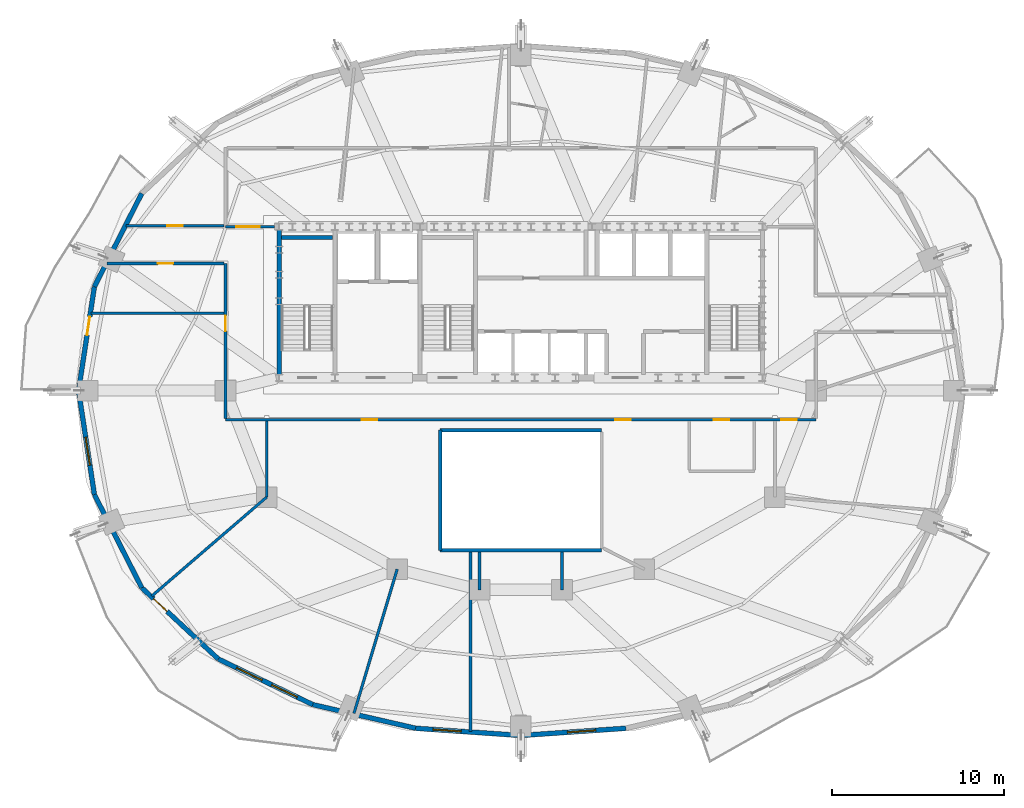
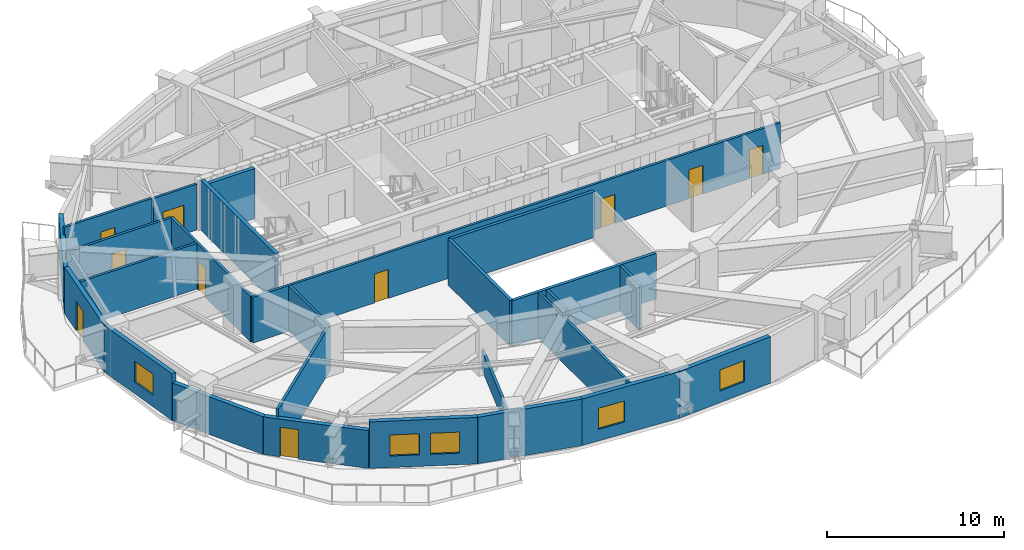
# One storey, part 7 of 14: 26 walls, 10 doors, 5 windows, 15 openings.
"""IFC4 building model written with IfcOpenShell, lengths in metres."""

from ifc_helpers import new_model, si_unit, direction, frame, frame_2d, origin, place, context, subcontext, project, spatial, rectangle, extrude, material, layer, layer_set, type_object, element, fill, save


model = new_model("IFC4")

# Units and contexts
model_context = context("Model", 3, precision=1e-05, world=origin(), true_north=direction((0.0, 1.0)))
body_context = subcontext(model_context, "Body", "Model", "MODEL_VIEW")
ifc_project = project(units=[si_unit("LENGTHUNIT", "METRE"), si_unit("AREAUNIT", "SQUARE_METRE"), si_unit("VOLUMEUNIT", "CUBIC_METRE"), si_unit("PLANEANGLEUNIT", "RADIAN"), si_unit("MASSUNIT", "GRAM", prefix="KILO")], contexts=[model_context])

# Site, building, storey
site_placement = place(None, origin())
site = spatial("IfcSite", under=ifc_project, at=site_placement, CompositionType="ELEMENT")
building_placement = place(site_placement, origin())
building = spatial("IfcBuilding", under=site, at=building_placement, Name="Haldorwick Loom Tower", CompositionType="ELEMENT")
storey_placement = place(building_placement, frame((0.0, 0.0, 182.050048828125)))
storey = spatial("IfcBuildingStorey", under=building, at=storey_placement, Name="L49", CompositionType="ELEMENT", Elevation=182.050048828125)

# Wall
ifc_material_1 = material(Name="Pressed Clay Face Brick and Insulated Masonry Backup Assembly", Category="masonry")
ifc_layer_1 = layer(ifc_material_1, 0.280029296875, Name="Pressed Clay Face Brick and Insulated Masonry Backup Assembly", Category="masonry")
ifc_layer_set_1 = layer_set([ifc_layer_1], Name="Pressed Clay Face Brick and Insulated Masonry Backup Assembly")
wall_type_1 = type_object("IfcWallType", Name="ARC-WL-EXT280", PredefinedType="STANDARD", material=ifc_layer_set_1)
wall_1_placement = place(storey_placement, frame((13.92333984375, 37.481201171875, 0.0), z_axis=(0.0, 0.0, 1.0), x_axis=(-0.453172129629, -0.89142303141, 0.0)))
element("IfcWall", 1, at=wall_1_placement, inside=storey, type_object=wall_type_1, Name="L49 Brick Pier and Spandrel Wall 11", PredefinedType="STANDARD", context=body_context, shape_type="SweptSolid", body=[
    extrude(rectangle(XDim=6.086669921875, YDim=0.280029296875, at=frame_2d((3.04345703125, 0.0))), origin(), (0.0, 0.0, 1.0), 2.600830078125),
])

# Wall, opening, door
wall_2_placement = place(storey_placement, frame((11.1650390625, 32.055419921875, 0.0), z_axis=(0.0, 0.0, 1.0), x_axis=(-0.150544467684, -0.988603238539, 0.0)))
wall_2 = element("IfcWall", 2, at=wall_2_placement, inside=storey, type_object=wall_type_1, Name="L49 Brick Pier and Spandrel Wall 12", PredefinedType="STANDARD", context=body_context, shape_type="SweptSolid", body=[
    extrude(rectangle(XDim=6.125244140625, YDim=0.280029296875, at=frame_2d((3.0625, 0.0))), origin(), (0.0, 0.0, 1.0), 3.2099609375),
])
opening_1_placement = place(wall_2_placement, frame((1.775146484375, 0.0, 0.0)))
opening_1 = element("IfcOpeningElement", 3, at=opening_1_placement, cuts=wall_2, Name="Opening D-BL11", PredefinedType="OPENING", context=body_context, shape_type="SweptSolid", body=[
    extrude(rectangle(XDim=1.080078125, YDim=2.0400390625, at=frame_2d((0.5400390625, 1.02001953125))), frame((0.0, 0.14990234375, 0.0), z_axis=(0.0, -1.0, 0.0), x_axis=(1.0, 0.0, 0.0)), (0.0, 0.0, 1.0), 0.300048828125),
])
ifc_material_2 = material(Name="Thermally Broken Anodized Aluminium Curtain Wall Framing", Category="aluminium")
door_type_1 = type_object("IfcDoorType", Name="ARC-DR-BAL110", OperationType="NOTDEFINED", PredefinedType="DOOR", material=ifc_material_2)
door_1_placement = place(opening_1_placement, origin())
door_1 = element("IfcDoor", 4, at=door_1_placement, inside=storey, type_object=door_type_1, Name="L49 Outdoor Terrace Door SLB-L49-BAL_WNW", OperationType="SINGLE_SWING_LEFT", OverallHeight=2.0400390625, OverallWidth=1.080078125, PredefinedType="DOOR", context=body_context, shape_type="SweptSolid", body=[
    extrude(rectangle(XDim=1.080078125, YDim=2.0400390625, at=frame_2d((0.5400390625, 1.02001953125))), frame((0.0, 0.02490234375, 0.0), z_axis=(0.0, -1.0, 0.0), x_axis=(1.0, 0.0, 0.0)), (0.0, 0.0, 1.0), 0.050048828125),
])
fill(opening_1, door_1)

# Wall, opening, window
wall_3_placement = place(storey_placement, frame((10.242919921875, 26.0, 0.0), z_axis=(0.0, 0.0, 1.0), x_axis=(0.150544467684, -0.988603238539, 0.0)))
wall_3 = element("IfcWall", 5, at=wall_3_placement, inside=storey, type_object=wall_type_1, Name="L49 Brick Pier and Spandrel Wall 13", PredefinedType="STANDARD", context=body_context, shape_type="SweptSolid", body=[
    extrude(rectangle(XDim=6.125244140625, YDim=0.280029296875, at=frame_2d((3.0625, 0.0))), origin(), (0.0, 0.0, 1.0), 3.2099609375),
])
opening_2_placement = place(wall_3_placement, frame((2.749755859375, 0.0, 0.800048828125)))
opening_2 = element("IfcOpeningElement", 6, at=opening_2_placement, cuts=wall_3, Name="Opening W-01B", PredefinedType="OPENING", context=body_context, shape_type="SweptSolid", body=[
    extrude(rectangle(XDim=1.64990234375, YDim=1.449951171875, at=frame_2d((0.824951171875, 0.72509765625))), frame((0.0, 0.14990234375, 0.0), z_axis=(0.0, -1.0, 0.0), x_axis=(1.0, 0.0, 0.0)), (0.0, 0.0, 1.0), 0.300048828125),
])
ifc_material_3 = material(Name="Triple-Glazed Low-E Argon Insulated Glazing Unit", Category="glass")
window_type = type_object("IfcWindowType", Name="ARC-WIN-W165", PartitioningType="SINGLE_PANEL", PredefinedType="WINDOW", material=ifc_material_3)
window_1_placement = place(opening_2_placement, origin())
window_1 = element("IfcWindow", 7, at=window_1_placement, inside=storey, type_object=window_type, Name="L49 Deep-Set Zone 7A Window 13", OverallHeight=1.449951171875, OverallWidth=1.64990234375, PartitioningType="SINGLE_PANEL", PredefinedType="WINDOW", context=body_context, shape_type="SweptSolid", body=[
    extrude(rectangle(XDim=1.64990234375, YDim=1.449951171875, at=frame_2d((0.824951171875, 0.72509765625))), frame((0.0, 0.030029296875, 0.0), z_axis=(0.0, -1.0, 0.0), x_axis=(1.0, 0.0, 0.0)), (0.0, 0.0, 1.0), 0.06005859375),
])
fill(opening_2, window_1)

# Wall
wall_4_placement = place(storey_placement, frame((11.1650390625, 19.944580078125, 0.0), z_axis=(0.0, 0.0, 1.0), x_axis=(0.453172129629, -0.89142303141, 0.0)))
element("IfcWall", 8, at=wall_4_placement, inside=storey, type_object=wall_type_1, Name="L49 Brick Pier and Spandrel Wall 14", PredefinedType="STANDARD", context=body_context, shape_type="SweptSolid", body=[
    extrude(rectangle(XDim=6.086669921875, YDim=0.280029296875, at=frame_2d((3.04345703125, 0.0))), origin(), (0.0, 0.0, 1.0), 2.600830078125),
])

# Wall, opening, door
wall_5_placement = place(storey_placement, frame((13.92333984375, 14.518798828125, 0.0), z_axis=(0.0, 0.0, 1.0), x_axis=(0.732001571644, -0.681302942244, 0.0)))
wall_5 = element("IfcWall", 9, at=wall_5_placement, inside=storey, type_object=wall_type_1, Name="L49 Brick Pier and Spandrel Wall 15", PredefinedType="STANDARD", context=body_context, shape_type="SweptSolid", body=[
    extrude(rectangle(XDim=6.0869140625, YDim=0.280029296875, at=frame_2d((3.04345703125, 0.0))), origin(), (0.0, 0.0, 1.0), 2.600830078125),
])
opening_3_placement = place(wall_5_placement, frame((0.94091796875, 0.0, 0.0)))
opening_3 = element("IfcOpeningElement", 10, at=opening_3_placement, cuts=wall_5, Name="Opening D-BL11", PredefinedType="OPENING", context=body_context, shape_type="SweptSolid", body=[
    extrude(rectangle(XDim=1.080078125, YDim=2.0400390625, at=frame_2d((0.5400390625, 1.02001953125))), frame((0.0, 0.14990234375, 0.0), z_axis=(0.0, -1.0, 0.0), x_axis=(1.0, 0.0, 0.0)), (0.0, 0.0, 1.0), 0.300048828125),
])
door_2_placement = place(opening_3_placement, origin())
door_2 = element("IfcDoor", 11, at=door_2_placement, inside=storey, type_object=door_type_1, Name="L49 Outdoor Terrace Door SLB-L49-BAL_SW", OperationType="SINGLE_SWING_LEFT", OverallHeight=2.0400390625, OverallWidth=1.080078125, PredefinedType="DOOR", context=body_context, shape_type="SweptSolid", body=[
    extrude(rectangle(XDim=1.080078125, YDim=2.0400390625, at=frame_2d((0.5400390625, 1.02001953125))), frame((0.0, 0.02490234375, 0.0), z_axis=(0.0, -1.0, 0.0), x_axis=(1.0, 0.0, 0.0)), (0.0, 0.0, 1.0), 0.050048828125),
])
fill(opening_3, door_2)

# Wall, openings, windows
wall_6_placement = place(storey_placement, frame((18.37890625, 10.371826171875, 0.0), z_axis=(0.0, 0.0, 1.0), x_axis=(0.900472429216, -0.43491309962, 0.0)))
wall_6 = element("IfcWall", 12, at=wall_6_placement, inside=storey, type_object=wall_type_1, Name="L49 Brick Pier and Spandrel Wall 16", PredefinedType="STANDARD", context=body_context, shape_type="SweptSolid", body=[
    extrude(rectangle(XDim=6.1181640625, YDim=0.280029296875, at=frame_2d((3.05908203125, 0.0))), origin(), (0.0, 0.0, 1.0), 3.2099609375),
])
opening_4_placement = place(wall_6_placement, frame((1.181884765625, 0.0, 0.800048828125)))
opening_4 = element("IfcOpeningElement", 13, at=opening_4_placement, cuts=wall_6, Name="Opening W-01B", PredefinedType="OPENING", context=body_context, shape_type="SweptSolid", body=[
    extrude(rectangle(XDim=1.64990234375, YDim=1.449951171875, at=frame_2d((0.824951171875, 0.72509765625))), frame((0.0, 0.14990234375, 0.0), z_axis=(0.0, -1.0, 0.0), x_axis=(1.0, 0.0, 0.0)), (0.0, 0.0, 1.0), 0.300048828125),
])
opening_5_placement = place(wall_6_placement, frame((3.4580078125, 0.0, 0.800048828125)))
opening_5 = element("IfcOpeningElement", 14, at=opening_5_placement, cuts=wall_6, Name="Opening W-01B", PredefinedType="OPENING", context=body_context, shape_type="SweptSolid", body=[
    extrude(rectangle(XDim=1.64990234375, YDim=1.449951171875, at=frame_2d((0.824951171875, 0.72509765625))), frame((0.0, 0.14990234375, 0.0), z_axis=(0.0, -1.0, 0.0), x_axis=(1.0, 0.0, 0.0)), (0.0, 0.0, 1.0), 0.300048828125),
])
window_2_placement = place(opening_4_placement, origin())
window_2 = element("IfcWindow", 15, at=window_2_placement, inside=storey, type_object=window_type, Name="L49 Deep-Set Zone 7A Window 16", OverallHeight=1.449951171875, OverallWidth=1.64990234375, PartitioningType="SINGLE_PANEL", PredefinedType="WINDOW", context=body_context, shape_type="SweptSolid", body=[
    extrude(rectangle(XDim=1.64990234375, YDim=1.449951171875, at=frame_2d((0.824951171875, 0.72509765625))), frame((0.0, 0.030029296875, 0.0), z_axis=(0.0, -1.0, 0.0), x_axis=(1.0, 0.0, 0.0)), (0.0, 0.0, 1.0), 0.06005859375),
])
fill(opening_4, window_2)
window_3_placement = place(opening_5_placement, origin())
window_3 = element("IfcWindow", 16, at=window_3_placement, inside=storey, type_object=window_type, Name="L49 Deep-Set Zone 7A Window 16", OverallHeight=1.449951171875, OverallWidth=1.64990234375, PartitioningType="SINGLE_PANEL", PredefinedType="WINDOW", context=body_context, shape_type="SweptSolid", body=[
    extrude(rectangle(XDim=1.64990234375, YDim=1.449951171875, at=frame_2d((0.824951171875, 0.72509765625))), frame((0.0, 0.030029296875, 0.0), z_axis=(0.0, -1.0, 0.0), x_axis=(1.0, 0.0, 0.0)), (0.0, 0.0, 1.0), 0.06005859375),
])
fill(opening_5, window_3)

# Wall
wall_7_placement = place(storey_placement, frame((23.88818359375, 7.7109375, 0.0), z_axis=(0.0, 0.0, 1.0), x_axis=(0.974593223547, -0.223982250674, 0.0)))
element("IfcWall", 17, at=wall_7_placement, inside=storey, type_object=wall_type_1, Name="L49 Brick Pier and Spandrel Wall 17", PredefinedType="STANDARD", context=body_context, shape_type="SweptSolid", body=[
    extrude(rectangle(XDim=6.138916015625, YDim=0.280029296875, at=frame_2d((3.0693359375, 0.0))), origin(), (0.0, 0.0, 1.0), 3.2099609375),
])

# Wall, opening, window
wall_8_placement = place(storey_placement, frame((29.87109375, 6.3359375, 0.0), z_axis=(0.0, 0.0, 1.0), x_axis=(0.997652942988, -0.068473391522, 0.0)))
wall_8 = element("IfcWall", 18, at=wall_8_placement, inside=storey, type_object=wall_type_1, Name="L49 Brick Pier and Spandrel Wall 18", PredefinedType="STANDARD", context=body_context, shape_type="SweptSolid", body=[
    extrude(rectangle(XDim=6.143310546875, YDim=0.280029296875, at=frame_2d((3.07177734375, 0.0))), origin(), (0.0, 0.0, 1.0), 3.2099609375),
])
opening_6_placement = place(wall_8_placement, frame((1.01806640625, 0.0, 0.800048828125)))
opening_6 = element("IfcOpeningElement", 19, at=opening_6_placement, cuts=wall_8, Name="Opening W-01B", PredefinedType="OPENING", context=body_context, shape_type="SweptSolid", body=[
    extrude(rectangle(XDim=1.64990234375, YDim=1.449951171875, at=frame_2d((0.824951171875, 0.72509765625))), frame((0.0, 0.14990234375, 0.0), z_axis=(0.0, -1.0, 0.0), x_axis=(1.0, 0.0, 0.0)), (0.0, 0.0, 1.0), 0.300048828125),
])
window_4_placement = place(opening_6_placement, origin())
window_4 = element("IfcWindow", 20, at=window_4_placement, inside=storey, type_object=window_type, Name="L49 Deep-Set Zone 7A Window 18", OverallHeight=1.449951171875, OverallWidth=1.64990234375, PartitioningType="SINGLE_PANEL", PredefinedType="WINDOW", context=body_context, shape_type="SweptSolid", body=[
    extrude(rectangle(XDim=1.64990234375, YDim=1.449951171875, at=frame_2d((0.824951171875, 0.72509765625))), frame((0.0, 0.030029296875, 0.0), z_axis=(0.0, -1.0, 0.0), x_axis=(1.0, 0.0, 0.0)), (0.0, 0.0, 1.0), 0.06005859375),
])
fill(opening_6, window_4)

wall_9_placement = place(storey_placement, frame((36.0, 5.915283203125, 0.0), z_axis=(0.0, 0.0, 1.0), x_axis=(0.997652942988, 0.068473391522, 0.0)))
wall_9 = element("IfcWall", 21, at=wall_9_placement, inside=storey, type_object=wall_type_1, Name="L49 Brick Pier and Spandrel Wall 19", PredefinedType="STANDARD", context=body_context, shape_type="SweptSolid", body=[
    extrude(rectangle(XDim=6.143310546875, YDim=0.280029296875, at=frame_2d((3.07177734375, 0.0))), origin(), (0.0, 0.0, 1.0), 3.2099609375),
])
opening_7_placement = place(wall_9_placement, frame((2.723388671875, 0.0, 0.800048828125)))
opening_7 = element("IfcOpeningElement", 22, at=opening_7_placement, cuts=wall_9, Name="Opening W-01B", PredefinedType="OPENING", context=body_context, shape_type="SweptSolid", body=[
    extrude(rectangle(XDim=1.64990234375, YDim=1.449951171875, at=frame_2d((0.824951171875, 0.72509765625))), frame((0.0, 0.14990234375, 0.0), z_axis=(0.0, -1.0, 0.0), x_axis=(1.0, 0.0, 0.0)), (0.0, 0.0, 1.0), 0.300048828125),
])
window_5_placement = place(opening_7_placement, origin())
window_5 = element("IfcWindow", 23, at=window_5_placement, inside=storey, type_object=window_type, Name="L49 Deep-Set Zone 7A Window 19", OverallHeight=1.449951171875, OverallWidth=1.64990234375, PartitioningType="SINGLE_PANEL", PredefinedType="WINDOW", context=body_context, shape_type="SweptSolid", body=[
    extrude(rectangle(XDim=1.64990234375, YDim=1.449951171875, at=frame_2d((0.824951171875, 0.72509765625))), frame((0.0, 0.030029296875, 0.0), z_axis=(0.0, -1.0, 0.0), x_axis=(1.0, 0.0, 0.0)), (0.0, 0.0, 1.0), 0.06005859375),
])
fill(opening_7, window_5)

# Wall, openings, doors
ifc_material_4 = material(Name="Fire-Rated Type X Gypsum Stud Assembly EI 60")
ifc_layer_2 = layer(ifc_material_4, 0.159912109375, Name="Fire-Rated Type X Gypsum Stud Assembly EI 60")
ifc_layer_set_2 = layer_set([ifc_layer_2], Name="Fire-Rated Type X Gypsum Stud Assembly EI 60")
wall_type_2 = type_object("IfcWallType", Name="ARC-WL-FIRE160", PredefinedType="PARTITIONING", material=ifc_layer_set_2)
wall_10_placement = place(storey_placement, frame((18.800048828125, 24.300048828125, 0.0), z_axis=(0.0, 0.0, 1.0), x_axis=(1.0, 0.0, 0.0)))
wall_10 = element("IfcWall", 24, at=wall_10_placement, inside=storey, type_object=wall_type_2, Name="L49 Residential Fire Partition L49-CR-SP", PredefinedType="PARTITIONING", context=body_context, shape_type="SweptSolid", body=[
    extrude(rectangle(XDim=34.39990234375, YDim=0.159912109375, at=frame_2d((17.199951171875, 0.0))), origin(), (0.0, 0.0, 1.0), 3.155029296875),
])
opening_8_placement = place(wall_10_placement, frame((22.703857421875, 0.0, 0.0)))
opening_8 = element("IfcOpeningElement", 25, at=opening_8_placement, cuts=wall_10, Name="Opening D-FD60A", PredefinedType="OPENING", context=body_context, shape_type="SweptSolid", body=[
    extrude(rectangle(XDim=0.89990234375, YDim=2.0, at=frame_2d((0.449951171875, 1.0))), frame((0.0, 0.08984375, 0.0), z_axis=(0.0, -1.0, 0.0), x_axis=(1.0, 0.0, 0.0)), (0.0, 0.0, 1.0), 0.179931640625),
])
opening_9_placement = place(wall_10_placement, frame((7.929443359375, 0.0, 0.0)))
opening_9 = element("IfcOpeningElement", 26, at=opening_9_placement, cuts=wall_10, Name="Opening D-FD60A", PredefinedType="OPENING", context=body_context, shape_type="SweptSolid", body=[
    extrude(rectangle(XDim=0.89990234375, YDim=2.0, at=frame_2d((0.449951171875, 1.0))), frame((0.0, 0.08984375, 0.0), z_axis=(0.0, -1.0, 0.0), x_axis=(1.0, 0.0, 0.0)), (0.0, 0.0, 1.0), 0.179931640625),
])
opening_10_placement = place(wall_10_placement, frame((28.437255859375, 0.0, 0.0)))
opening_10 = element("IfcOpeningElement", 27, at=opening_10_placement, cuts=wall_10, Name="Opening D-FD60A", PredefinedType="OPENING", context=body_context, shape_type="SweptSolid", body=[
    extrude(rectangle(XDim=0.89990234375, YDim=2.0, at=frame_2d((0.449951171875, 1.0))), frame((0.0, 0.08984375, 0.0), z_axis=(0.0, -1.0, 0.0), x_axis=(1.0, 0.0, 0.0)), (0.0, 0.0, 1.0), 0.179931640625),
])
opening_11_placement = place(wall_10_placement, frame((32.37646484375, 0.0, 0.0)))
opening_11 = element("IfcOpeningElement", 28, at=opening_11_placement, cuts=wall_10, Name="Opening D-FD60A", PredefinedType="OPENING", context=body_context, shape_type="SweptSolid", body=[
    extrude(rectangle(XDim=0.89990234375, YDim=2.0, at=frame_2d((0.449951171875, 1.0))), frame((0.0, 0.08984375, 0.0), z_axis=(0.0, -1.0, 0.0), x_axis=(1.0, 0.0, 0.0)), (0.0, 0.0, 1.0), 0.179931640625),
])
ifc_material_5 = material(Name="Hollow Steel Fire Door Assembly", Category="steel")
door_type_2 = type_object("IfcDoorType", Name="ARC-DR-FD60-90", OperationType="NOTDEFINED", PredefinedType="DOOR", material=ifc_material_5)
door_3_placement = place(opening_8_placement, origin())
door_3 = element("IfcDoor", 29, at=door_3_placement, inside=storey, type_object=door_type_2, Name="L49 L49 Central Residential Corridor to Community Library Hall 1 Door", OperationType="SINGLE_SWING_RIGHT", OverallHeight=2.0, OverallWidth=0.89990234375, PredefinedType="DOOR", context=body_context, shape_type="SweptSolid", body=[
    extrude(rectangle(XDim=0.89990234375, YDim=2.0, at=frame_2d((0.449951171875, 1.0))), frame((0.0, 0.02490234375, 0.0), z_axis=(0.0, -1.0, 0.0), x_axis=(1.0, 0.0, 0.0)), (0.0, 0.0, 1.0), 0.050048828125),
])
fill(opening_8, door_3)
door_4_placement = place(opening_9_placement, origin())
door_4 = element("IfcDoor", 30, at=door_4_placement, inside=storey, type_object=door_type_2, Name="L49 L49 Central Residential Corridor to Community Library Hall 2 Door", OperationType="SINGLE_SWING_LEFT", OverallHeight=2.0, OverallWidth=0.89990234375, PredefinedType="DOOR", context=body_context, shape_type="SweptSolid", body=[
    extrude(rectangle(XDim=0.89990234375, YDim=2.0, at=frame_2d((0.449951171875, 1.0))), frame((0.0, 0.02490234375, 0.0), z_axis=(0.0, -1.0, 0.0), x_axis=(1.0, 0.0, 0.0)), (0.0, 0.0, 1.0), 0.050048828125),
])
fill(opening_9, door_4)
door_5_placement = place(opening_10_placement, origin())
door_5 = element("IfcDoor", 31, at=door_5_placement, inside=storey, type_object=door_type_2, Name="L49 L49 Central Residential Corridor to Common Accessible WC Door", OperationType="SINGLE_SWING_RIGHT", OverallHeight=2.0, OverallWidth=0.89990234375, PredefinedType="DOOR", context=body_context, shape_type="SweptSolid", body=[
    extrude(rectangle(XDim=0.89990234375, YDim=2.0, at=frame_2d((0.449951171875, 1.0))), frame((0.0, 0.02490234375, 0.0), z_axis=(0.0, -1.0, 0.0), x_axis=(1.0, 0.0, 0.0)), (0.0, 0.0, 1.0), 0.050048828125),
])
fill(opening_10, door_5)
door_6_placement = place(opening_11_placement, origin())
door_6 = element("IfcDoor", 32, at=door_6_placement, inside=storey, type_object=door_type_2, Name="L49 L49 Central Residential Corridor to Youth Club Hall 1 Door", OperationType="SINGLE_SWING_LEFT", OverallHeight=2.0, OverallWidth=0.89990234375, PredefinedType="DOOR", context=body_context, shape_type="SweptSolid", body=[
    extrude(rectangle(XDim=0.89990234375, YDim=2.0, at=frame_2d((0.449951171875, 1.0))), frame((0.0, 0.02490234375, 0.0), z_axis=(0.0, -1.0, 0.0), x_axis=(1.0, 0.0, 0.0)), (0.0, 0.0, 1.0), 0.050048828125),
])
fill(opening_11, door_6)

# Wall, opening, door
wall_11_placement = place(storey_placement, frame((18.800048828125, 24.383056640625, 0.0), z_axis=(0.0, 0.0, 1.0), x_axis=(0.0, 1.0, 0.0)))
wall_11 = element("IfcWall", 33, at=wall_11_placement, inside=storey, type_object=wall_type_2, Name="L49 Residential Fire Partition L49-CR-W0A", PredefinedType="PARTITIONING", context=body_context, shape_type="SweptSolid", body=[
    extrude(rectangle(XDim=9.016845703125, YDim=0.159912109375, at=frame_2d((4.50830078125, 0.0))), origin(), (0.0, 0.0, 1.0), 3.155029296875),
])
opening_12_placement = place(wall_11_placement, frame((5.0810546875, 0.0, 0.0)))
opening_12 = element("IfcOpeningElement", 34, at=opening_12_placement, cuts=wall_11, Name="Opening D-FD60A", PredefinedType="OPENING", context=body_context, shape_type="SweptSolid", body=[
    extrude(rectangle(XDim=0.89990234375, YDim=2.0, at=frame_2d((0.449951171875, 1.0))), frame((0.0, 0.08984375, 0.0), z_axis=(0.0, -1.0, 0.0), x_axis=(1.0, 0.0, 0.0)), (0.0, 0.0, 1.0), 0.179931640625),
])
door_7_placement = place(opening_12_placement, frame((0.89990234375, 0.0, 0.0), z_axis=(0.0, 0.0, 1.0), x_axis=(-1.0, 0.0, 0.0)))
door_7 = element("IfcDoor", 35, at=door_7_placement, inside=storey, type_object=door_type_2, Name="L49 Community Library Hall 1 to L49 Central Residential Corridor Door", OperationType="SINGLE_SWING_LEFT", OverallHeight=2.0, OverallWidth=0.89990234375, PredefinedType="DOOR", context=body_context, shape_type="SweptSolid", body=[
    extrude(rectangle(XDim=0.89990234375, YDim=2.0, at=frame_2d((0.449951171875, 1.0))), frame((0.0, 0.02490234375, 0.0), z_axis=(0.0, -1.0, 0.0), x_axis=(1.0, 0.0, 0.0)), (0.0, 0.0, 1.0), 0.050048828125),
])
fill(opening_12, door_7)

wall_12_placement = place(storey_placement, frame((11.899169921875, 33.39990234375, 0.0), z_axis=(0.0, 0.0, 1.0), x_axis=(1.0, 0.0, 0.0)))
wall_12 = element("IfcWall", 36, at=wall_12_placement, inside=storey, type_object=wall_type_2, Name="L49 Residential Fire Partition L49-CR-GW0", PredefinedType="PARTITIONING", context=body_context, shape_type="SweptSolid", body=[
    extrude(rectangle(XDim=6.81787109375, YDim=0.159912109375, at=frame_2d((3.408935546875, 0.0))), origin(), (0.0, 0.0, 1.0), 3.155029296875),
])
opening_13_placement = place(wall_12_placement, frame((2.958984375, 0.0, 0.0)))
opening_13 = element("IfcOpeningElement", 37, at=opening_13_placement, cuts=wall_12, Name="Opening D-FD60A", PredefinedType="OPENING", context=body_context, shape_type="SweptSolid", body=[
    extrude(rectangle(XDim=0.89990234375, YDim=2.0, at=frame_2d((0.449951171875, 1.0))), frame((0.0, 0.08984375, 0.0), z_axis=(0.0, -1.0, 0.0), x_axis=(1.0, 0.0, 0.0)), (0.0, 0.0, 1.0), 0.179931640625),
])
door_8_placement = place(opening_13_placement, frame((0.89990234375, 0.0, 0.0), z_axis=(0.0, 0.0, 1.0), x_axis=(-1.0, 0.0, 0.0)))
door_8 = element("IfcDoor", 38, at=door_8_placement, inside=storey, type_object=door_type_2, Name="L49 L49 Central Residential Corridor to Games Club Hall 3 Door", OperationType="SINGLE_SWING_RIGHT", OverallHeight=2.0, OverallWidth=0.89990234375, PredefinedType="DOOR", context=body_context, shape_type="SweptSolid", body=[
    extrude(rectangle(XDim=0.89990234375, YDim=2.0, at=frame_2d((0.449951171875, 1.0))), frame((0.0, 0.02490234375, 0.0), z_axis=(0.0, -1.0, 0.0), x_axis=(1.0, 0.0, 0.0)), (0.0, 0.0, 1.0), 0.050048828125),
])
fill(opening_13, door_8)

wall_13_placement = place(storey_placement, frame((13.017578125, 35.60009765625, 0.0), z_axis=(0.0, 0.0, 1.0), x_axis=(1.0, 0.0, 0.0)))
wall_13 = element("IfcWall", 39, at=wall_13_placement, inside=storey, type_object=wall_type_2, Name="L49 Residential Fire Partition L49-CR-GW1", PredefinedType="PARTITIONING", context=body_context, shape_type="SweptSolid", body=[
    extrude(rectangle(XDim=5.699462890625, YDim=0.159912109375, at=frame_2d((2.849609375, 0.0))), origin(), (0.0, 0.0, 1.0), 3.155029296875),
])
opening_14_placement = place(wall_13_placement, frame((2.399658203125, 0.0, 0.0)))
opening_14 = element("IfcOpeningElement", 40, at=opening_14_placement, cuts=wall_13, Name="Opening D-FD60A", PredefinedType="OPENING", context=body_context, shape_type="SweptSolid", body=[
    extrude(rectangle(XDim=0.89990234375, YDim=2.0, at=frame_2d((0.449951171875, 1.0))), frame((0.0, 0.08984375, 0.0), z_axis=(0.0, -1.0, 0.0), x_axis=(1.0, 0.0, 0.0)), (0.0, 0.0, 1.0), 0.179931640625),
])
door_9_placement = place(opening_14_placement, frame((0.89990234375, 0.0, 0.0), z_axis=(0.0, 0.0, 1.0), x_axis=(-1.0, 0.0, 0.0)))
door_9 = element("IfcDoor", 41, at=door_9_placement, inside=storey, type_object=door_type_2, Name="L49 Community Library Hall 3 to L49 Central Residential Corridor Door", OperationType="SINGLE_SWING_RIGHT", OverallHeight=2.0, OverallWidth=0.89990234375, PredefinedType="DOOR", context=body_context, shape_type="SweptSolid", body=[
    extrude(rectangle(XDim=0.89990234375, YDim=2.0, at=frame_2d((0.449951171875, 1.0))), frame((0.0, 0.02490234375, 0.0), z_axis=(0.0, -1.0, 0.0), x_axis=(1.0, 0.0, 0.0)), (0.0, 0.0, 1.0), 0.050048828125),
])
fill(opening_14, door_9)

wall_14_placement = place(storey_placement, frame((18.800048828125, 35.550048828125, 0.0), z_axis=(0.0, 0.0, 1.0), x_axis=(1.0, 0.0, 0.0)))
wall_14 = element("IfcWall", 42, at=wall_14_placement, inside=storey, type_object=wall_type_2, Name="L49 Residential Fire Partition L49-CR-WNC", PredefinedType="PARTITIONING", context=body_context, shape_type="SweptSolid", body=[
    extrude(rectangle(XDim=2.849853515625, YDim=0.159912109375, at=frame_2d((1.4248046875, 0.0))), origin(), (0.0, 0.0, 1.0), 3.155029296875),
])
opening_15_placement = place(wall_14_placement, frame((0.6328125, 0.0, 0.0)))
opening_15 = element("IfcOpeningElement", 43, at=opening_15_placement, cuts=wall_14, Name="Opening D-CR15", PredefinedType="OPENING", context=body_context, shape_type="SweptSolid", body=[
    extrude(rectangle(XDim=1.35009765625, YDim=2.0, at=frame_2d((0.675048828125, 1.0))), frame((0.0, 0.08984375, 0.0), z_axis=(0.0, -1.0, 0.0), x_axis=(1.0, 0.0, 0.0)), (0.0, 0.0, 1.0), 0.179931640625),
])
ifc_material_6 = material(Name="Thermally Broken Anodized Aluminium and Tempered Glass", Category="aluminium")
door_type_3 = type_object("IfcDoorType", Name="ARC-DR-COR150", OperationType="NOTDEFINED", PredefinedType="DOOR", material=ifc_material_6)
door_10_placement = place(opening_15_placement, origin())
door_10 = element("IfcDoor", 44, at=door_10_placement, inside=storey, type_object=door_type_3, Name="L49 L49 North Residential Corridor to L49 Central Residential Corridor D", OperationType="DOUBLE_DOOR_SINGLE_SWING", OverallHeight=2.0, OverallWidth=1.35009765625, PredefinedType="DOOR", context=body_context, shape_type="SweptSolid", body=[
    extrude(rectangle(XDim=1.35009765625, YDim=2.0, at=frame_2d((0.675048828125, 1.0))), frame((0.0, 0.02490234375, 0.0), z_axis=(0.0, -1.0, 0.0), x_axis=(1.0, 0.0, 0.0)), (0.0, 0.0, 1.0), 0.050048828125),
])
fill(opening_15, door_10)

# Walls
wall_15_placement = place(storey_placement, frame((28.800048828125, 15.60009765625, 0.0), z_axis=(0.0, 0.0, 1.0), x_axis=(-0.287278870349, -0.957846987076, 0.0)))
element("IfcWall", 45, at=wall_15_placement, inside=storey, type_object=wall_type_2, Name="L49 Residential Fire Partition L49-ICR-08", PredefinedType="PARTITIONING", context=body_context, shape_type="SweptSolid", body=[
    extrude(rectangle(XDim=8.7626953125, YDim=0.159912109375, at=frame_2d((4.38134765625, 0.0))), origin(), (0.0, 0.0, 1.0), 1.344970703125),
])
wall_16_placement = place(storey_placement, frame((21.199951171875, 19.800048828125, 0.0), z_axis=(0.0, 0.0, 1.0), x_axis=(-0.757789304155, -0.652499326059, 0.0)))
element("IfcWall", 46, at=wall_16_placement, inside=storey, type_object=wall_type_2, Name="L49 Residential Fire Partition L49-ICR-10", PredefinedType="PARTITIONING", context=body_context, shape_type="SweptSolid", body=[
    extrude(rectangle(XDim=8.83203125, YDim=0.159912109375, at=frame_2d((4.416015625, 0.0))), origin(), (0.0, 0.0, 1.0), 3.155029296875),
])
wall_17_placement = place(storey_placement, frame((33.0654296875, 6.161865234375, 0.0), z_axis=(0.0, 0.0, 1.0), x_axis=(0.0, 1.0, 0.0)))
element("IfcWall", 47, at=wall_17_placement, inside=storey, type_object=wall_type_2, Name="L49 Residential Fire Partition L49-SBP-0", PredefinedType="PARTITIONING", context=body_context, shape_type="SweptSolid", body=[
    extrude(rectangle(XDim=10.43505859375, YDim=0.159912109375, at=frame_2d((5.217529296875, 0.0))), origin(), (0.0, 0.0, 1.0), 3.155029296875),
])
for number, where, z_axis, x_axis, name in (
    (48, (38.39990234375, 16.596923828125, 0.0), (0.0, 0.0, 1.0), (0.0, -1.0, 0.0), "L49 Residential Fire Partition L49-ICA-05"),
    (49, (33.60009765625, 16.596923828125, 0.0), (0.0, 0.0, 1.0), (0.0, -1.0, 0.0), "L49 Residential Fire Partition L49-ICA-06"),
):
    element("IfcWall", number, at=place(storey_placement, frame(where, z_axis=z_axis, x_axis=x_axis)), inside=storey, type_object=wall_type_2, Name=name, PredefinedType="PARTITIONING", context=body_context, shape_type="SweptSolid", body=[
        extrude(rectangle(XDim=2.197021484375, YDim=0.159912109375, at=frame_2d((1.0986328125, 0.0))), origin(), (0.0, 0.0, 1.0), 3.155029296875),
    ])
wall_18_placement = place(storey_placement, frame((21.199951171875, 24.217041015625, 0.0), z_axis=(0.0, 0.0, 1.0), x_axis=(0.0, -1.0, 0.0)))
element("IfcWall", 50, at=wall_18_placement, inside=storey, type_object=wall_type_2, Name="L49 Residential Fire Partition L49-ICA-09", PredefinedType="PARTITIONING", context=body_context, shape_type="SweptSolid", body=[
    extrude(rectangle(XDim=4.4169921875, YDim=0.159912109375, at=frame_2d((2.20849609375, 0.0))), origin(), (0.0, 0.0, 1.0), 3.155029296875),
])
wall_19_placement = place(storey_placement, frame((10.973876953125, 30.5, 0.0), z_axis=(0.0, 0.0, 1.0), x_axis=(1.0, 0.0, 0.0)))
element("IfcWall", 51, at=wall_19_placement, inside=storey, type_object=wall_type_2, Name="L49 Residential Fire Partition L49-FLW-15", PredefinedType="PARTITIONING", context=body_context, shape_type="SweptSolid", body=[
    extrude(rectangle(XDim=7.7431640625, YDim=0.159912109375, at=frame_2d((3.87158203125, 0.0))), origin(), (0.0, 0.0, 1.0), 3.155029296875),
])
ifc_material_7 = material(Name="Fire-Rated Type X Gypsum Stud Assembly EI 120")
ifc_layer_3 = layer(ifc_material_7, 0.199951171875, Name="Fire-Rated Type X Gypsum Stud Assembly EI 120")
ifc_layer_set_3 = layer_set([ifc_layer_3], Name="Fire-Rated Type X Gypsum Stud Assembly EI 120")
wall_type_3 = type_object("IfcWallType", Name="ARC-WL-FIRE200", PredefinedType="PARTITIONING", material=ifc_layer_set_3)
for number, where, z_axis, x_axis, name in (
    (52, (31.300048828125, 23.699951171875, 0.0), (0.0, 0.0, 1.0), (1.0, 0.0, 0.0), "L49 Atrium Fire Enclosure Wall N"),
    (53, (40.699951171875, 16.699951171875, 0.0), (0.0, 0.0, 1.0), (-1.0, 0.0, 0.0), "L49 Atrium Fire Enclosure Wall S"),
):
    element("IfcWall", number, at=place(storey_placement, frame(where, z_axis=z_axis, x_axis=x_axis)), inside=storey, type_object=wall_type_3, Name=name, PredefinedType="PARTITIONING", context=body_context, shape_type="SweptSolid", body=[
        extrude(rectangle(XDim=9.39990234375, YDim=0.199951171875, at=frame_2d((4.699951171875, 0.0))), origin(), (0.0, 0.0, 1.0), 3.155029296875),
    ])
wall_20_placement = place(storey_placement, frame((31.300048828125, 16.699951171875, 0.0), z_axis=(0.0, 0.0, 1.0), x_axis=(0.0, 1.0, 0.0)))
element("IfcWall", 54, at=wall_20_placement, inside=storey, type_object=wall_type_3, Name="L49 Atrium Fire Enclosure Wall W", PredefinedType="PARTITIONING", context=body_context, shape_type="SweptSolid", body=[
    extrude(rectangle(XDim=7.0, YDim=0.199951171875, at=frame_2d((3.5, 0.0))), origin(), (0.0, 0.0, 1.0), 3.155029296875),
])
ifc_material_8 = material(Name="Concrete C50 (50 MPa)", Category="concrete")
ifc_layer_4 = layer(ifc_material_8, 0.239990234375, Name="Concrete C50 (50 MPa)", Category="concrete")
ifc_layer_set_4 = layer_set([ifc_layer_4], Name="Concrete C50 (50 MPa)")
wall_type_4 = type_object("IfcWallType", Name="STR-WL-SHAFT240", PredefinedType="SHEAR", material=ifc_layer_set_4)
wall_21_placement = place(storey_placement, frame((21.929931640625, 35.346923828125, 0.0), z_axis=(0.0, 0.0, 1.0), x_axis=(0.0, -1.0, 0.0)))
element("IfcWall", 55, at=wall_21_placement, inside=storey, type_object=wall_type_4, Name="L49 Core Shear Wall W", PredefinedType="SHEAR", context=body_context, shape_type="SweptSolid", body=[
    extrude(rectangle(XDim=8.39404296875, YDim=0.239990234375, at=frame_2d((4.197021484375, 0.0))), origin(), (0.0, 0.0, 1.0), 3.449951171875),
])
wall_22_placement = place(storey_placement, frame((22.052978515625, 34.919921875, 0.0), z_axis=(0.0, 0.0, 1.0), x_axis=(1.0, 0.0, 0.0)))
element("IfcWall", 56, at=wall_22_placement, inside=storey, type_object=wall_type_4, Name="L49 Core Shear Wall 1N", PredefinedType="SHEAR", context=body_context, shape_type="SweptSolid", body=[
    extrude(rectangle(XDim=2.994140625, YDim=0.239990234375, at=frame_2d((1.4970703125, 0.0))), origin(), (0.0, 0.0, 1.0), 3.449951171875),
])

save(model, "model.ifc")
